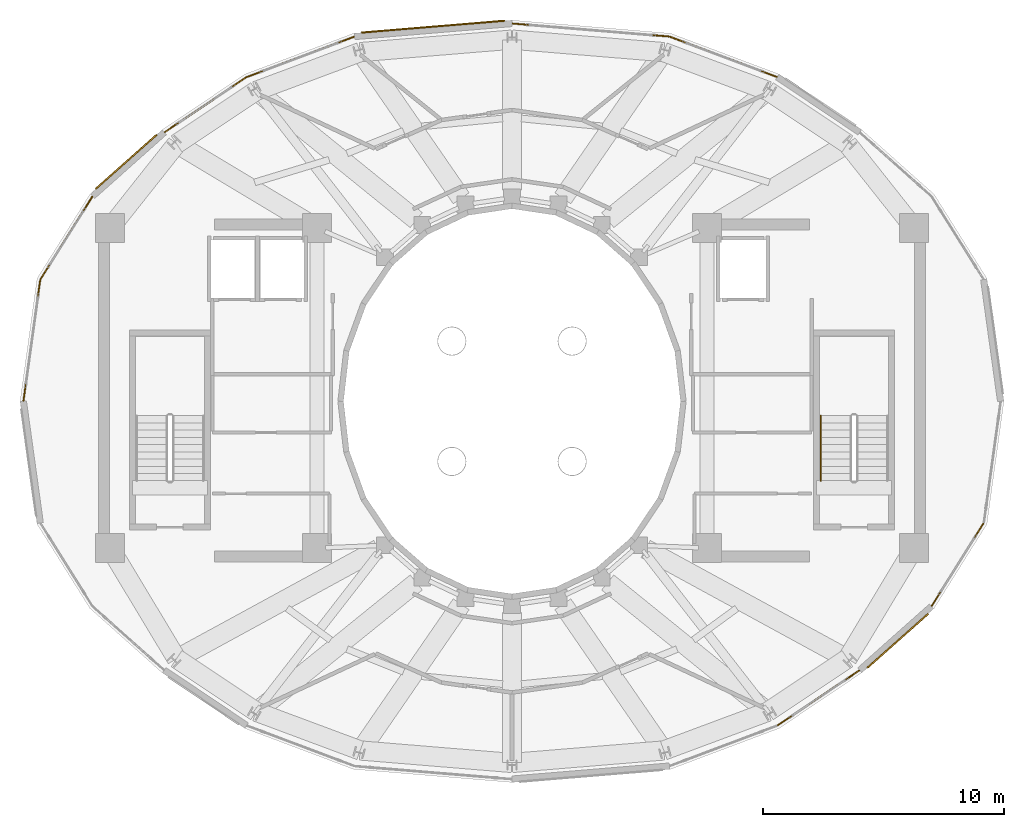
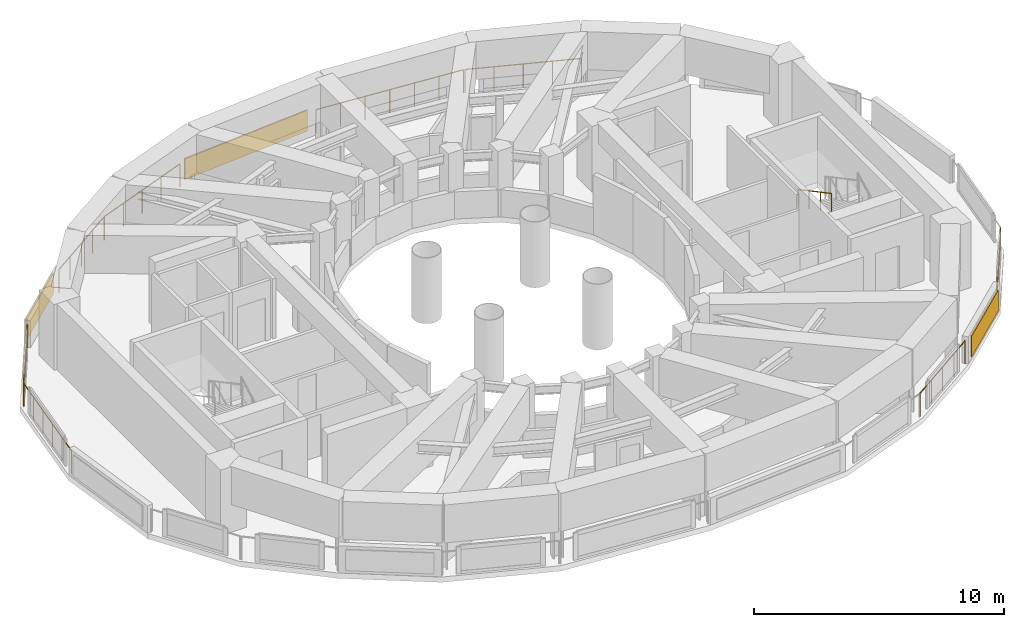
# One storey, part 16 of 17: 9 railings, 3 shading devices.
"""IFC4 building model written with IfcOpenShell, lengths in metres."""

from ifc_helpers import new_model, si_unit, direction, frame, origin, origin_2d, place, context, subcontext, project, spatial, rectangle, circle, extrude, material, layer, layer_set, type_object, element, save


model = new_model("IFC4")

# Units and contexts
model_context = context("Model", 3, precision=1e-05, world=origin(), true_north=direction((0.0, 1.0)))
body_context = subcontext(model_context, "Body", "Model", "MODEL_VIEW")
ifc_project = project(units=[si_unit("LENGTHUNIT", "METRE"), si_unit("AREAUNIT", "SQUARE_METRE"), si_unit("VOLUMEUNIT", "CUBIC_METRE"), si_unit("PLANEANGLEUNIT", "RADIAN"), si_unit("MASSUNIT", "GRAM", prefix="KILO")], contexts=[model_context])

# Site, building, storey
site_placement = place(None, origin())
site = spatial("IfcSite", under=ifc_project, at=site_placement, CompositionType="ELEMENT")
building_placement = place(site_placement, origin())
building = spatial("IfcBuilding", under=site, at=building_placement, Name="Solvane Sanctuary Tower", CompositionType="ELEMENT")
storey_placement = place(building_placement, frame((0.0, 0.0, 273.199951171875)))
storey = spatial("IfcBuildingStorey", under=building, at=storey_placement, Name="L83", CompositionType="ELEMENT", Elevation=273.199951171875)

# Railings
ifc_material_1 = material(Name="Architectural Stainless Steel 316", Category="steel")
railing_type_1 = type_object("IfcRailingType", Name="Railing GR-BALC-1150", PredefinedType="BALUSTRADE", material=ifc_material_1)
railing_1_placement = place(storey_placement, frame((42.994873046875, 36.481201171875, 0.0)))
element("IfcRailing", 1, at=railing_1_placement, inside=storey, type_object=railing_type_1, Name="L83 Crown Curtain-Wall Sill Guard 04", PredefinedType="BALUSTRADE", context=body_context, shape_type="SweptSolid", body=[
    extrude(circle(Radius=0.02392578125, at=origin_2d()), frame((0.0, 0.0, 1.1259765625), z_axis=(-0.936172051996, 0.3515421583, 0.0), x_axis=(-0.3515421583, -0.936172051996, 0.0)), (0.0, 0.0, 1.0), 4.72802734375),
    extrude(circle(Radius=0.02099609375, at=origin_2d()), origin(), (0.0, 0.0, 1.0), 1.101806640625),
    extrude(circle(Radius=0.02099609375, at=origin_2d()), frame((-1.1064453125, 0.41552734375, 0.0)), (0.0, 0.0, 1.0), 1.101806640625),
    extrude(circle(Radius=0.02099609375, at=origin_2d()), frame((-2.213134765625, 0.8310546875, 0.0)), (0.0, 0.0, 1.0), 1.101806640625),
    extrude(circle(Radius=0.02099609375, at=origin_2d()), frame((-3.31982421875, 1.24658203125, 0.0)), (0.0, 0.0, 1.0), 1.101806640625),
    extrude(circle(Radius=0.02099609375, at=origin_2d()), frame((-4.42626953125, 1.662109375, 0.0)), (0.0, 0.0, 1.0), 1.101806640625),
])
railing_2_placement = place(storey_placement, frame((38.510498046875, 38.15625, 0.0)))
element("IfcRailing", 2, at=railing_2_placement, inside=storey, type_object=railing_type_1, Name="L83 Crown Curtain-Wall Sill Guard 05", PredefinedType="BALUSTRADE", context=body_context, shape_type="SweptSolid", body=[
    extrude(circle(Radius=0.02392578125, at=origin_2d()), frame((0.0, 0.0, 1.1259765625), z_axis=(-0.996580108602, 0.08263224031, 0.0), x_axis=(-0.08263224031, -0.996580108602, 0.0)), (0.0, 0.0, 1.0), 6.5029296875),
    extrude(circle(Radius=0.02099609375, at=origin_2d()), origin(), (0.0, 0.0, 1.0), 1.101806640625),
    extrude(circle(Radius=0.02099609375, at=origin_2d()), frame((-1.080078125, 0.089599609375, 0.0)), (0.0, 0.0, 1.0), 1.101806640625),
    extrude(circle(Radius=0.02099609375, at=origin_2d()), frame((-2.16015625, 0.17919921875, 0.0)), (0.0, 0.0, 1.0), 1.101806640625),
    extrude(circle(Radius=0.02099609375, at=origin_2d()), frame((-3.240234375, 0.2685546875, 0.0)), (0.0, 0.0, 1.0), 1.101806640625),
    extrude(circle(Radius=0.02099609375, at=origin_2d()), frame((-4.320556640625, 0.358154296875, 0.0)), (0.0, 0.0, 1.0), 1.101806640625),
    extrude(circle(Radius=0.02099609375, at=origin_2d()), frame((-5.400634765625, 0.44775390625, 0.0)), (0.0, 0.0, 1.0), 1.101806640625),
    extrude(circle(Radius=0.02099609375, at=origin_2d()), frame((-6.480712890625, 0.537353515625, 0.0)), (0.0, 0.0, 1.0), 1.101806640625),
])
railing_3_placement = place(storey_placement, frame((25.431396484375, 38.143310546875, 0.0)))
element("IfcRailing", 3, at=railing_3_placement, inside=storey, type_object=railing_type_1, Name="L83 Crown Curtain-Wall Sill Guard 07", PredefinedType="BALUSTRADE", context=body_context, shape_type="SweptSolid", body=[
    extrude(circle(Radius=0.02392578125, at=origin_2d()), frame((0.0, 0.0, 1.1259765625), z_axis=(-0.936172051996, -0.3515421583, 0.0), x_axis=(0.3515421583, -0.936172051996, 0.0)), (0.0, 0.0, 1.0), 4.72802734375),
    extrude(circle(Radius=0.02099609375, at=origin_2d()), origin(), (0.0, 0.0, 1.0), 1.101806640625),
    extrude(circle(Radius=0.02099609375, at=origin_2d()), frame((-1.1064453125, -0.41552734375, 0.0)), (0.0, 0.0, 1.0), 1.101806640625),
    extrude(circle(Radius=0.02099609375, at=origin_2d()), frame((-2.213134765625, -0.8310546875, 0.0)), (0.0, 0.0, 1.0), 1.101806640625),
    extrude(circle(Radius=0.02099609375, at=origin_2d()), frame((-3.31982421875, -1.24658203125, 0.0)), (0.0, 0.0, 1.0), 1.101806640625),
    extrude(circle(Radius=0.02099609375, at=origin_2d()), frame((-4.42626953125, -1.662109375, 0.0)), (0.0, 0.0, 1.0), 1.101806640625),
])
railing_4_placement = place(storey_placement, frame((20.9521484375, 36.4541015625, 0.0)))
element("IfcRailing", 4, at=railing_4_placement, inside=storey, type_object=railing_type_1, Name="L83 Crown Curtain-Wall Sill Guard 08", PredefinedType="BALUSTRADE", context=body_context, shape_type="SweptSolid", body=[
    extrude(circle(Radius=0.02392578125, at=origin_2d()), frame((0.0, 0.0, 1.1259765625), z_axis=(-0.830142110642, -0.557551859596, 0.0), x_axis=(0.557551859596, -0.830142110642, 0.0)), (0.0, 0.0, 1.0), 4.065185546875),
    extrude(circle(Radius=0.02099609375, at=origin_2d()), origin(), (0.0, 0.0, 1.0), 1.101806640625),
    extrude(circle(Radius=0.02099609375, at=origin_2d()), frame((-0.84375, -0.566650390625, 0.0)), (0.0, 0.0, 1.0), 1.101806640625),
    extrude(circle(Radius=0.02099609375, at=origin_2d()), frame((-1.6875, -1.13330078125, 0.0)), (0.0, 0.0, 1.0), 1.101806640625),
    extrude(circle(Radius=0.02099609375, at=origin_2d()), frame((-2.531005859375, -1.699951171875, 0.0)), (0.0, 0.0, 1.0), 1.101806640625),
    extrude(circle(Radius=0.02099609375, at=origin_2d()), frame((-3.374755859375, -2.2666015625, 0.0)), (0.0, 0.0, 1.0), 1.101806640625),
])
railing_5_placement = place(storey_placement, frame((14.56201171875, 31.49755859375, 0.0)))
element("IfcRailing", 5, at=railing_5_placement, inside=storey, type_object=railing_type_1, Name="L83 Crown Curtain-Wall Sill Guard 10", PredefinedType="BALUSTRADE", context=body_context, shape_type="SweptSolid", body=[
    extrude(circle(Radius=0.02392578125, at=origin_2d()), frame((0.0, 0.0, 1.1259765625), z_axis=(-0.53180448567, -0.846867161379, 0.0), x_axis=(0.846867161379, -0.53180448567, 0.0)), (0.0, 0.0, 1.0), 4.032470703125),
    extrude(circle(Radius=0.02099609375, at=origin_2d()), origin(), (0.0, 0.0, 1.0), 1.101806640625),
    extrude(circle(Radius=0.02099609375, at=origin_2d()), frame((-0.5361328125, -0.853759765625, 0.0)), (0.0, 0.0, 1.0), 1.101806640625),
    extrude(circle(Radius=0.02099609375, at=origin_2d()), frame((-1.072265625, -1.70751953125, 0.0)), (0.0, 0.0, 1.0), 1.101806640625),
    extrude(circle(Radius=0.02099609375, at=origin_2d()), frame((-1.6083984375, -2.561279296875, 0.0)), (0.0, 0.0, 1.0), 1.101806640625),
    extrude(circle(Radius=0.02099609375, at=origin_2d()), frame((-2.14453125, -3.4150390625, 0.0)), (0.0, 0.0, 1.0), 1.101806640625),
])
railing_6_placement = place(storey_placement, frame((12.397216796875, 28.02734375, 0.0)))
element("IfcRailing", 6, at=railing_6_placement, inside=storey, type_object=railing_type_1, Name="L83 Crown Curtain-Wall Sill Guard 11", PredefinedType="BALUSTRADE", context=body_context, shape_type="SweptSolid", body=[
    extrude(circle(Radius=0.02392578125, at=origin_2d()), frame((0.0, 0.0, 1.1259765625), z_axis=(-0.137375839078, -0.990518994688, 0.0), x_axis=(0.990518994688, -0.137375839078, 0.0)), (0.0, 0.0, 1.0), 5.04541015625),
    extrude(circle(Radius=0.02099609375, at=origin_2d()), origin(), (0.0, 0.0, 1.0), 1.101806640625),
    extrude(circle(Radius=0.02099609375, at=origin_2d()), frame((-0.138671875, -0.99951171875, 0.0)), (0.0, 0.0, 1.0), 1.101806640625),
    extrude(circle(Radius=0.02099609375, at=origin_2d()), frame((-0.27734375, -1.9990234375, 0.0)), (0.0, 0.0, 1.0), 1.101806640625),
    extrude(circle(Radius=0.02099609375, at=origin_2d()), frame((-0.415771484375, -2.99853515625, 0.0)), (0.0, 0.0, 1.0), 1.101806640625),
    extrude(circle(Radius=0.02099609375, at=origin_2d()), frame((-0.554443359375, -3.998046875, 0.0)), (0.0, 0.0, 1.0), 1.101806640625),
    extrude(circle(Radius=0.02099609375, at=origin_2d()), frame((-0.693115234375, -4.99755859375, 0.0)), (0.0, 0.0, 1.0), 1.101806640625),
])
railing_7_placement = place(storey_placement, frame((43.0478515625, 9.5458984375, 0.0)))
element("IfcRailing", 7, at=railing_7_placement, inside=storey, type_object=railing_type_1, Name="L83 Crown Curtain-Wall Sill Guard 20", PredefinedType="BALUSTRADE", context=body_context, shape_type="SweptSolid", body=[
    extrude(circle(Radius=0.02392578125, at=origin_2d()), frame((0.0, 0.0, 1.1259765625), z_axis=(0.830142110642, 0.557551859596, 0.0), x_axis=(-0.557551859596, 0.830142110642, 0.0)), (0.0, 0.0, 1.0), 4.065185546875),
    extrude(circle(Radius=0.02099609375, at=origin_2d()), origin(), (0.0, 0.0, 1.0), 1.101806640625),
    extrude(circle(Radius=0.02099609375, at=origin_2d()), frame((0.84375, 0.566650390625, 0.0)), (0.0, 0.0, 1.0), 1.101806640625),
    extrude(circle(Radius=0.02099609375, at=origin_2d()), frame((1.6875, 1.13330078125, 0.0)), (0.0, 0.0, 1.0), 1.101806640625),
    extrude(circle(Radius=0.02099609375, at=origin_2d()), frame((2.531005859375, 1.699951171875, 0.0)), (0.0, 0.0, 1.0), 1.101806640625),
    extrude(circle(Radius=0.02099609375, at=origin_2d()), frame((3.374755859375, 2.2666015625, 0.0)), (0.0, 0.0, 1.0), 1.101806640625),
])
railing_8_placement = place(storey_placement, frame((49.43798828125, 14.50244140625, 0.0)))
element("IfcRailing", 8, at=railing_8_placement, inside=storey, type_object=railing_type_1, Name="L83 Crown Curtain-Wall Sill Guard 22", PredefinedType="BALUSTRADE", context=body_context, shape_type="SweptSolid", body=[
    extrude(circle(Radius=0.02392578125, at=origin_2d()), frame((0.0, 0.0, 1.1259765625), z_axis=(0.53180448567, 0.846867161379, 0.0), x_axis=(-0.846867161379, 0.53180448567, 0.0)), (0.0, 0.0, 1.0), 4.032470703125),
    extrude(circle(Radius=0.02099609375, at=origin_2d()), origin(), (0.0, 0.0, 1.0), 1.101806640625),
    extrude(circle(Radius=0.02099609375, at=origin_2d()), frame((0.5361328125, 0.853759765625, 0.0)), (0.0, 0.0, 1.0), 1.101806640625),
    extrude(circle(Radius=0.02099609375, at=origin_2d()), frame((1.072265625, 1.70751953125, 0.0)), (0.0, 0.0, 1.0), 1.101806640625),
    extrude(circle(Radius=0.02099609375, at=origin_2d()), frame((1.6083984375, 2.561279296875, 0.0)), (0.0, 0.0, 1.0), 1.101806640625),
    extrude(circle(Radius=0.02099609375, at=origin_2d()), frame((2.14453125, 3.4150390625, 0.0)), (0.0, 0.0, 1.0), 1.101806640625),
])
railing_type_2 = type_object("IfcRailingType", Name="Railing HR-STAIR-920", PredefinedType="HANDRAIL", material=ifc_material_1)
railing_9_placement = place(storey_placement, frame((44.830078125, 22.39990234375, 1.760009765625)))
element("IfcRailing", 9, at=railing_9_placement, inside=storey, type_object=railing_type_2, Name="L83 ST-2 stair handrail 2", PredefinedType="HANDRAIL", context=body_context, shape_type="SweptSolid", body=[
    extrude(circle(Radius=0.02392578125, at=origin_2d()), frame((0.0, 0.0, 0.8759765625), z_axis=(0.0, -0.882357358376, 0.470579952952), x_axis=(1.0, 0.0, 0.0)), (0.0, 0.0, 1.0), 3.059814453125),
    extrude(circle(Radius=0.02099609375, at=origin_2d()), origin(), (0.0, 0.0, 1.0), 0.851806640625),
    extrude(circle(Radius=0.02099609375, at=origin_2d()), frame((0.0, -0.89990234375, 0.47998046875)), (0.0, 0.0, 1.0), 0.851806640625),
    extrude(circle(Radius=0.02099609375, at=origin_2d()), frame((0.0, -1.800048828125, 0.9599609375)), (0.0, 0.0, 1.0), 0.851806640625),
    extrude(circle(Radius=0.02099609375, at=origin_2d()), frame((0.0, -2.699951171875, 1.43994140625)), (0.0, 0.0, 1.0), 0.851806640625),
])

# Shading devices
ifc_material_2 = material(Name="Anodised Aluminium 6063-T6", Category="aluminium")
ifc_layer = layer(ifc_material_2, 0.06005859375, Name="Anodised Aluminium 6063-T6")
ifc_layer_set = layer_set([ifc_layer], Name="Anodised Aluminium 6063-T6")
shading_device_type = type_object("IfcShadingDeviceType", Name="Shading SHD-LOUVRE", PredefinedType="JALOUSIE", material=ifc_layer_set)
shading_device_placement = place(storey_placement, frame((28.71826171875, 38.564453125, 0.150146484375), z_axis=(0.0, 0.0, 1.0), x_axis=(-0.9965800843, -0.082632533399, 0.0)))
element("IfcShadingDevice", 10, at=shading_device_placement, inside=storey, type_object=shading_device_type, Name="L83 Crown Storm Louvre Panel 06", PredefinedType="JALOUSIE", context=body_context, shape_type="SweptSolid", body=[
    extrude(rectangle(XDim=5.962890625, YDim=0.06005859375, at=origin_2d()), origin(), (0.0, 0.0, 1.0), 1.02001953125),
])
for number, where, z_axis, x_axis, name in (
    (11, (15.97216796875, 32.951416015625, 0.150146484375), (0.0, 0.0, 1.0), (-0.746935335524, -0.664896687122, 0.0), "L83 Crown Storm Louvre Panel 09"),
    (12, (48.02783203125, 13.048583984375, 0.150146484375), (0.0, 0.0, 1.0), (0.746935335524, 0.664896687122, 0.0), "L83 Crown Storm Louvre Panel 21"),
):
    element("IfcShadingDevice", number, at=place(storey_placement, frame(where, z_axis=z_axis, x_axis=x_axis)), inside=storey, type_object=shading_device_type, Name=name, PredefinedType="JALOUSIE", context=body_context, shape_type="SweptSolid", body=[
        extrude(rectangle(XDim=3.38232421875, YDim=0.06005859375, at=origin_2d()), origin(), (0.0, 0.0, 1.0), 1.02001953125),
    ])

save(model, "model.ifc")
